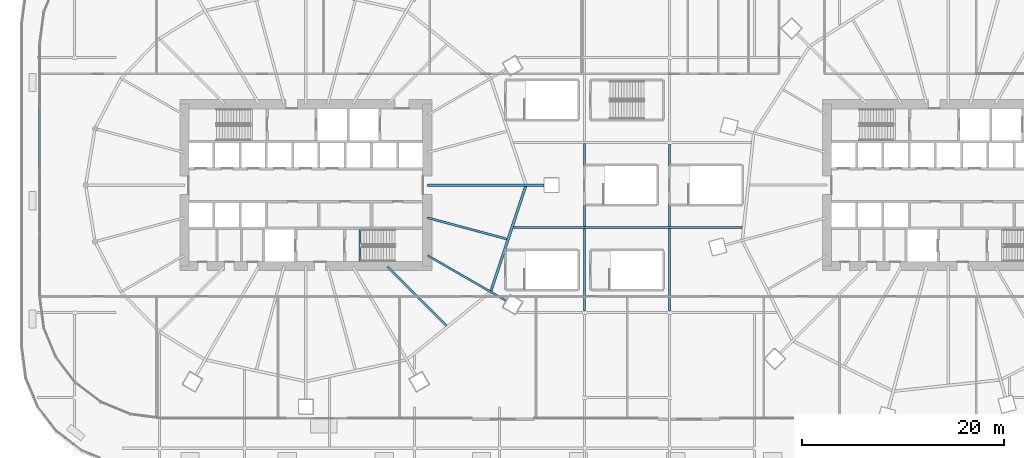
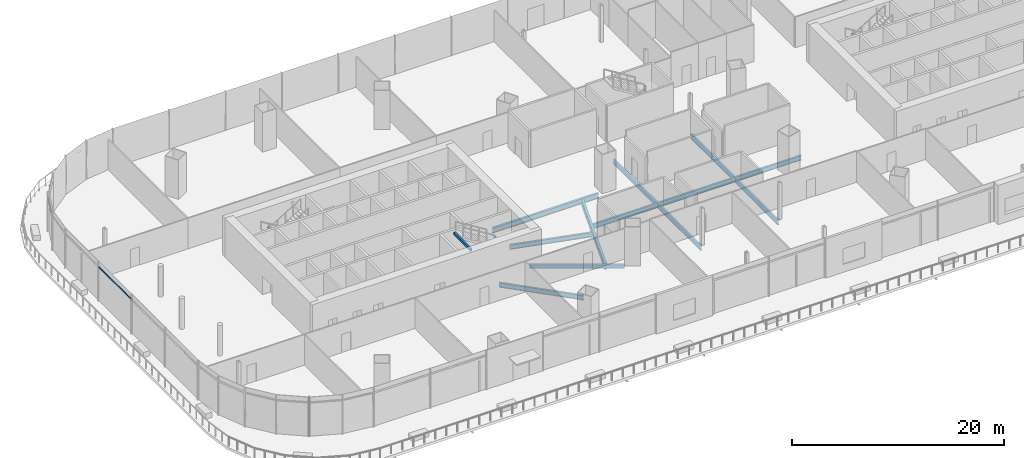
# One storey, part 14 of 49: 11 beams, 1 member, 1 element without a shape of its own.
"""IFC4 building model written with IfcOpenShell, lengths in metres."""

from ifc_helpers import new_model, si_unit, direction, frame, origin, origin_2d, place, context, subcontext, project, spatial, rectangle, hollow_rectangle, i_section, extrude, material, material_profile, profile_set, type_object, element, aggregate, save


model = new_model("IFC4")

# Units and contexts
model_context = context("Model", 3, precision=1e-05, world=origin(), true_north=direction((0.0, 1.0)))
body_context = subcontext(model_context, "Body", "Model", "MODEL_VIEW")
ifc_project = project(units=[si_unit("LENGTHUNIT", "METRE"), si_unit("AREAUNIT", "SQUARE_METRE"), si_unit("VOLUMEUNIT", "CUBIC_METRE"), si_unit("PLANEANGLEUNIT", "RADIAN"), si_unit("MASSUNIT", "GRAM", prefix="KILO")], contexts=[model_context])

# Site, building, storey
site_placement = place(None, origin())
site = spatial("IfcSite", under=ifc_project, at=site_placement, CompositionType="ELEMENT")
building_placement = place(site_placement, origin())
building = spatial("IfcBuilding", under=site, at=building_placement, Name="Rimbun Link Towers", CompositionType="ELEMENT")
storey_placement = place(building_placement, frame((0.0, 0.0, 25.5)))
storey = spatial("IfcBuildingStorey", under=building, at=storey_placement, Name="L05", CompositionType="ELEMENT", Elevation=25.5)

# Curtain wall, member
ifc_material_1 = material(Name="Aluminium 6063-T6 and low-iron glass", Category="aluminium")
curtain_wall_type = type_object("IfcCurtainWallType", Name="CW3 podium shopfront", PredefinedType="NOTDEFINED", material=ifc_material_1)
curtain_wall_placement = place(storey_placement, origin())
curtain_wall = element("IfcCurtainWall", 1, at=curtain_wall_placement, inside=storey, type_object=curtain_wall_type, Name="CW3 L05 PD", PredefinedType="NOTDEFINED")
ifc_material_2 = material(Name="Aluminium 6063-T6", Category="aluminium")
ifc_material_profile_1 = material_profile(ifc_material_2, rectangle(XDim=0.06005859375, YDim=0.1201171875, at=origin_2d()), Name="TRANSOM 60X120")
ifc_profile_set_1 = profile_set([ifc_material_profile_1], Name="Aluminium 6063-T6")
member_type = type_object("IfcMemberType", Name="CW3 transom 60X120", PredefinedType="USERDEFINED", material=ifc_profile_set_1)
member_placement = place(storey_placement, frame((-58.053955078125, 1.530029296875, 3.89990234375), z_axis=(0.0, 1.0, 0.0), x_axis=(-1.0, 0.0, 0.0)))
member = element("IfcMember", 2, at=member_placement, type_object=member_type, Name="CW3 transom", ObjectType="TRANSOM", PredefinedType="USERDEFINED", context=body_context, shape_type="SweptSolid", body=[
    extrude(rectangle(XDim=0.06005859375, YDim=0.1201171875, at=origin_2d()), origin(), (0.0, 0.0, 1.0), 6.18994140625),
])
aggregate(curtain_wall, [member])

# Beams
ifc_material_3 = material(Name="Steel S355J2", Category="steel")
ifc_material_profile_2 = material_profile(ifc_material_3, hollow_rectangle(XDim=0.199951171875, YDim=0.300048828125, WallThickness=0.011962890625, at=origin_2d()), Name="BOX 300x200x12")
ifc_profile_set_2 = profile_set([ifc_material_profile_2], Name="Steel S355J2")
beam_type_1 = type_object("IfcBeamType", Name="Stair trimmer beam BOX 300x200x12", PredefinedType="BEAM", material=ifc_profile_set_2)
beam_1_placement = place(storey_placement, frame((-26.39990234375, -7.550048828125, 4.050048828125), z_axis=(0.0, 1.0, 0.0), x_axis=(-1.0, 0.0, 0.0)))
element("IfcBeam", 3, at=beam_1_placement, inside=storey, type_object=beam_type_1, Name="L05 ST2 stair beam 1", PredefinedType="BEAM", context=body_context, shape_type="SweptSolid", body=[
    extrude(hollow_rectangle(XDim=0.199951171875, YDim=0.300048828125, WallThickness=0.011962890625, at=origin_2d()), origin(), (0.0, 0.0, 1.0), 3.150146484375),
])
ifc_material_4 = material(Name="Steel S355J2", Category="steel")
ifc_material_profile_3 = material_profile(ifc_material_4, i_section(OverallWidth=0.18994140625, OverallDepth=0.453369140625, WebThickness=0.008544921875, FlangeThickness=0.0126953125, at=origin_2d()), Name="UB 457x191x67")
ifc_profile_set_3 = profile_set([ifc_material_profile_3], Name="Steel S355J2")
beam_type_2 = type_object("IfcBeamType", Name="UB 457x191x67", PredefinedType="BEAM", material=ifc_profile_set_3)
beam_2_placement = place(storey_placement, frame((-19.70166015625, -6.9560546875, -0.526611328125), z_axis=(0.866022633403, -0.500004798411, 0.0), x_axis=(0.500004798411, 0.866022633403, 0.0)))
element("IfcBeam", 4, at=beam_2_placement, inside=storey, type_object=beam_type_2, Name="Radial beam T1 L05 22", PredefinedType="BEAM", context=body_context, shape_type="SweptSolid", body=[
    extrude(i_section(OverallWidth=0.18994140625, OverallDepth=0.453369140625, WebThickness=0.008544921875, FlangeThickness=0.0126953125, at=origin_2d()), origin(), (0.0, 0.0, 1.0), 8.93212890625),
])
ifc_material_5 = material(Name="Steel S355J2", Category="steel")
ifc_material_profile_4 = material_profile(ifc_material_5, i_section(OverallWidth=0.209228515625, OverallDepth=0.533203125, WebThickness=0.010009765625, FlangeThickness=0.015625, at=origin_2d()), Name="UB 533x210x92")
ifc_profile_set_4 = profile_set([ifc_material_profile_4], Name="Steel S355J2")
beam_type_3 = type_object("IfcBeamType", Name="UB 533x210x92", PredefinedType="BEAM", material=ifc_profile_set_4)
beam_3_placement = place(storey_placement, frame((-23.67529296875, -8.07470703125, -0.56640625), z_axis=(0.707106781187, -0.707106781187, 0.0), x_axis=(0.707106781187, 0.707106781187, 0.0)))
element("IfcBeam", 5, at=beam_3_placement, inside=storey, type_object=beam_type_3, Name="Radial beam T1 L05 21", PredefinedType="BEAM", context=body_context, shape_type="SweptSolid", body=[
    extrude(i_section(OverallWidth=0.209228515625, OverallDepth=0.533203125, WebThickness=0.010009765625, FlangeThickness=0.015625, at=origin_2d()), origin(), (0.0, 0.0, 1.0), 8.239501953125),
])
beam_4_placement = place(storey_placement, frame((-19.721923828125, -3.222900390625, -0.56640625), z_axis=(0.965927890386, -0.258811341663, 0.0), x_axis=(0.258811341663, 0.965927890386, 0.0)))
element("IfcBeam", 6, at=beam_4_placement, inside=storey, type_object=beam_type_3, Name="Radial beam T1 L05 23", PredefinedType="BEAM", context=body_context, shape_type="SweptSolid", body=[
    extrude(i_section(OverallWidth=0.209228515625, OverallDepth=0.533203125, WebThickness=0.010009765625, FlangeThickness=0.015625, at=origin_2d()), origin(), (0.0, 0.0, 1.0), 8.10791015625),
])
beam_5_placement = place(storey_placement, frame((-11.214599609375, -4.199951171875, -0.56640625), z_axis=(1.0, 0.0, 0.0), x_axis=(0.0, 1.0, 0.0)))
element("IfcBeam", 7, at=beam_5_placement, inside=storey, type_object=beam_type_3, Name="Grid beam L05 -4.2", PredefinedType="BEAM", context=body_context, shape_type="SweptSolid", body=[
    extrude(i_section(OverallWidth=0.209228515625, OverallDepth=0.533203125, WebThickness=0.010009765625, FlangeThickness=0.015625, at=origin_2d()), origin(), (0.0, 0.0, 1.0), 22.59033203125),
])
beam_6_placement = place(storey_placement, frame((-4.199951171875, -12.4189453125, -0.56640625), z_axis=(0.0, 1.0, 0.0), x_axis=(-1.0, 0.0, 0.0)))
element("IfcBeam", 8, at=beam_6_placement, inside=storey, type_object=beam_type_3, Name="Grid beam L05 -4.2", PredefinedType="BEAM", context=body_context, shape_type="SweptSolid", body=[
    extrude(i_section(OverallWidth=0.209228515625, OverallDepth=0.533203125, WebThickness=0.010009765625, FlangeThickness=0.015625, at=origin_2d()), origin(), (0.0, 0.0, 1.0), 8.1142578125),
])
beam_7_placement = place(storey_placement, frame((-4.199951171875, -4.09521484375, -0.56640625), z_axis=(0.0, 1.0, 0.0), x_axis=(-1.0, 0.0, 0.0)))
element("IfcBeam", 9, at=beam_7_placement, inside=storey, type_object=beam_type_3, Name="Grid beam L05 -4.2", PredefinedType="BEAM", context=body_context, shape_type="SweptSolid", body=[
    extrude(i_section(OverallWidth=0.209228515625, OverallDepth=0.533203125, WebThickness=0.010009765625, FlangeThickness=0.015625, at=origin_2d()), origin(), (0.0, 0.0, 1.0), 8.1904296875),
])
for number, where, z_axis, x_axis, name in (
    (10, (4.199951171875, -12.4189453125, -0.56640625), (0.0, 1.0, 0.0), (-1.0, 0.0, 0.0), "Grid beam L05 +4.2"),
    (11, (4.199951171875, -4.09521484375, -0.56640625), (0.0, 1.0, 0.0), (-1.0, 0.0, 0.0), "Grid beam L05 +4.2"),
):
    element("IfcBeam", number, at=place(storey_placement, frame(where, z_axis=z_axis, x_axis=x_axis)), inside=storey, type_object=beam_type_3, Name=name, PredefinedType="BEAM", context=body_context, shape_type="SweptSolid", body=[
        extrude(i_section(OverallWidth=0.209228515625, OverallDepth=0.533203125, WebThickness=0.010009765625, FlangeThickness=0.015625, at=origin_2d()), origin(), (0.0, 0.0, 1.0), 8.1142578125),
    ])
ifc_material_6 = material(Name="Steel S355J2", Category="steel")
ifc_material_profile_5 = material_profile(ifc_material_6, i_section(OverallWidth=0.2275390625, OverallDepth=0.6025390625, WebThickness=0.010498046875, FlangeThickness=0.014892578125, at=origin_2d()), Name="UB 610x229x101")
ifc_profile_set_5 = profile_set([ifc_material_profile_5], Name="Steel S355J2")
beam_type_4 = type_object("IfcBeamType", Name="UB 610x229x101", PredefinedType="BEAM", material=ifc_profile_set_5)
beam_8_placement = place(storey_placement, frame((-19.7490234375, 0.0, -0.601318359375), z_axis=(1.0, 0.0, 0.0), x_axis=(0.0, 1.0, 0.0)))
element("IfcBeam", 12, at=beam_8_placement, inside=storey, type_object=beam_type_4, Name="Radial beam T1 L05 00", PredefinedType="BEAM", context=body_context, shape_type="SweptSolid", body=[
    extrude(i_section(OverallWidth=0.2275390625, OverallDepth=0.6025390625, WebThickness=0.010498046875, FlangeThickness=0.014892578125, at=origin_2d()), origin(), (0.0, 0.0, 1.0), 11.51171875),
])
ifc_material_7 = material(Name="Steel S355J2", Category="steel")
ifc_material_profile_6 = material_profile(ifc_material_7, i_section(OverallWidth=0.253662109375, OverallDepth=0.68359375, WebThickness=0.012451171875, FlangeThickness=0.01904296875, at=origin_2d()), Name="UB 686x254x140")
ifc_profile_set_6 = profile_set([ifc_material_profile_6], Name="Steel S355J2")
beam_type_5 = type_object("IfcBeamType", Name="UB 686x254x140", PredefinedType="BEAM", material=ifc_profile_set_6)
beam_9_placement = place(storey_placement, frame((-13.457275390625, -10.450439453125, -0.641845703125), z_axis=(0.314841882336, 0.949144135064, 0.0), x_axis=(-0.949144135064, 0.314841882336, 0.0)))
element("IfcBeam", 13, at=beam_9_placement, inside=storey, type_object=beam_type_5, Name="Edge beam T1 L05 22-00", PredefinedType="BEAM", context=body_context, shape_type="SweptSolid", body=[
    extrude(i_section(OverallWidth=0.253662109375, OverallDepth=0.68359375, WebThickness=0.012451171875, FlangeThickness=0.01904296875, at=origin_2d()), origin(), (0.0, 0.0, 1.0), 10.889404296875),
])

save(model, "model.ifc")
